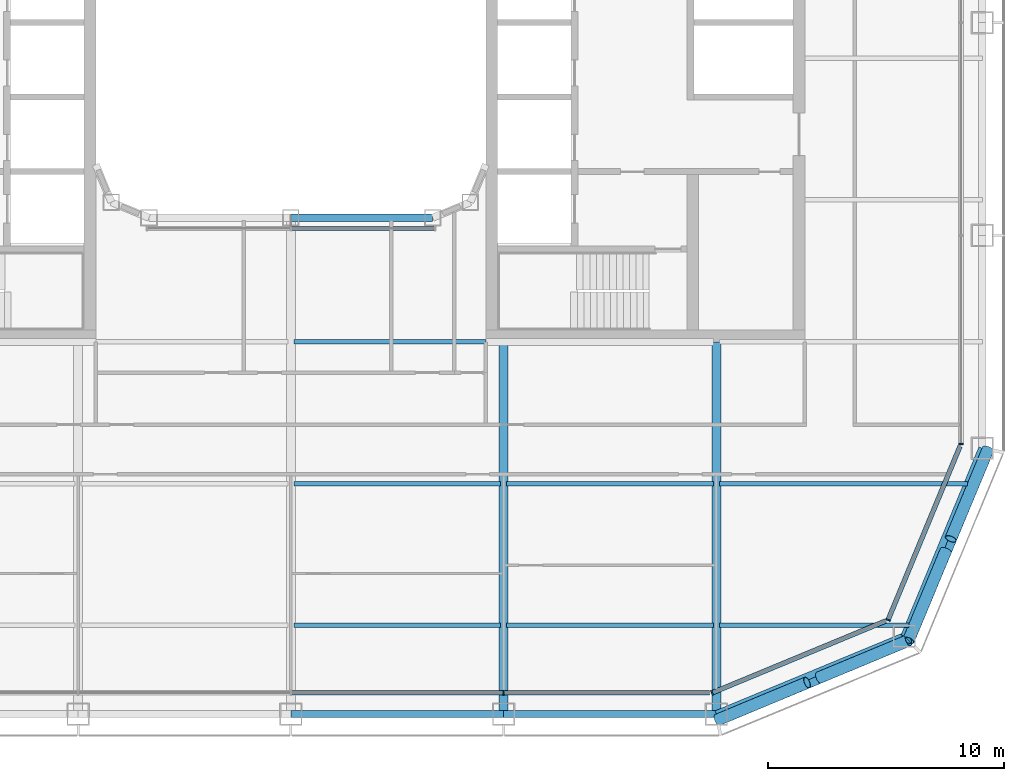
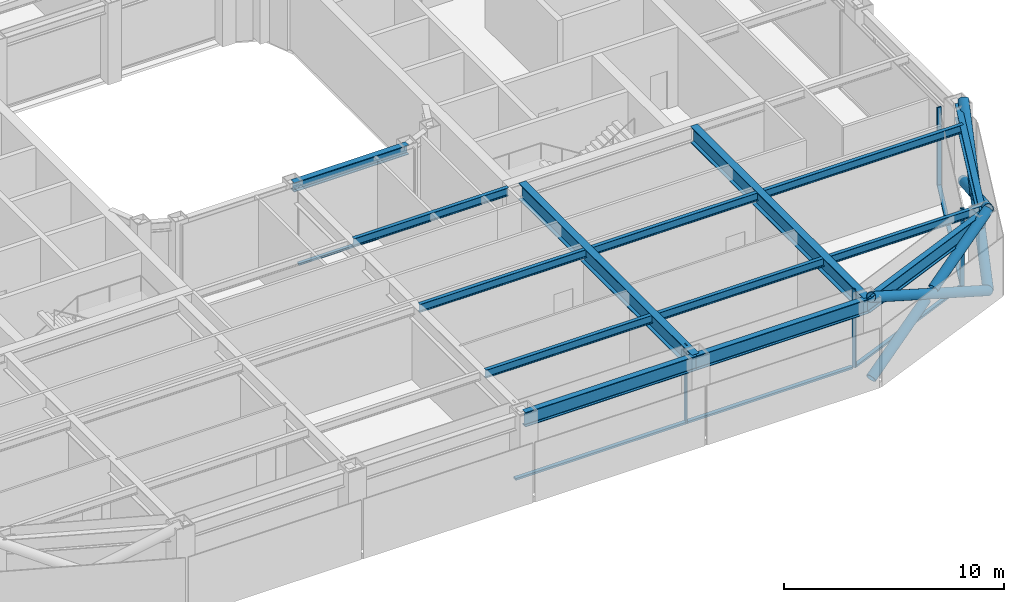
# One storey, part 4 of 21: 15 members, 14 beams, 5 elements without a shape of their own.
"""IFC4 building model written with IfcOpenShell, lengths in metres."""

from ifc_helpers import new_model, si_unit, direction, frame, origin, origin_2d, place, context, subcontext, project, spatial, rectangle, hollow_circle, i_section, extrude, material, layer, layer_set, material_profile, profile_set, type_object, element, aggregate, save


model = new_model("IFC4")

# Units and contexts
model_context = context("Model", 3, precision=1e-05, world=origin(), true_north=direction((0.0, 1.0)))
body_context = subcontext(model_context, "Body", "Model", "MODEL_VIEW")
ifc_project = project(units=[si_unit("LENGTHUNIT", "METRE"), si_unit("AREAUNIT", "SQUARE_METRE"), si_unit("VOLUMEUNIT", "CUBIC_METRE"), si_unit("PLANEANGLEUNIT", "RADIAN"), si_unit("MASSUNIT", "GRAM", prefix="KILO")], contexts=[model_context])

# Site, building, storey
site_placement = place(None, origin())
site = spatial("IfcSite", under=ifc_project, at=site_placement, CompositionType="ELEMENT")
building_placement = place(site_placement, origin())
building = spatial("IfcBuilding", under=site, at=building_placement, Name="Siwar Civic Tower", CompositionType="ELEMENT")
storey_placement = place(building_placement, frame((0.0, 0.0, 104.699951171875)))
storey = spatial("IfcBuildingStorey", under=building, at=storey_placement, Name="L22", CompositionType="ELEMENT", Elevation=104.699951171875)

# Curtain wall, member
ifc_material_1 = material(Name="Aluminium and glass", Category="aluminium")
ifc_layer_1 = layer(ifc_material_1, 0.199951171875)
ifc_layer_set_1 = layer_set([ifc_layer_1], Name="Aluminium and glass")
curtain_wall_type_1 = type_object("IfcCurtainWallType", Name="ENV-CW-B", PredefinedType="NOTDEFINED", material=ifc_layer_set_1)
curtain_wall_1_placement = place(storey_placement, origin())
curtain_wall_1 = element("IfcCurtainWall", 1, at=curtain_wall_1_placement, inside=storey, type_object=curtain_wall_type_1, Name="Curtain wall B S", PredefinedType="NOTDEFINED")
ifc_material_2 = material(Name="Aluminium 6063-T6", Category="aluminium")
ifc_material_profile_1 = material_profile(ifc_material_2, rectangle(XDim=0.199951171875, YDim=0.06494140625, at=origin_2d()), Name="AL 200x65")
ifc_profile_set_1 = profile_set([ifc_material_profile_1], Name="Aluminium 6063-T6")
member_type_1 = type_object("IfcMemberType", Name="ENV-MULLION-B", PredefinedType="MULLION", material=ifc_profile_set_1)
member_1_placement = place(storey_placement, frame((9.0, -28.35009765625, 0.0), z_axis=(0.0, 0.0, 1.0), x_axis=(0.0, 1.0, 0.0)))
member_1 = element("IfcMember", 2, at=member_1_placement, type_object=member_type_1, Name="Mullion B S 4", PredefinedType="MULLION", context=body_context, shape_type="SweptSolid", body=[
    extrude(rectangle(XDim=0.199951171875, YDim=0.06494140625, at=origin_2d()), origin(), (0.0, 0.0, 1.0), 4.35009765625),
])

ifc_material_3 = material(Name="Aluminium clad insulated panel", Category="aluminium")
ifc_layer_2 = layer(ifc_material_3, 0.199951171875)
ifc_layer_set_2 = layer_set([ifc_layer_2], Name="Aluminium clad insulated panel")
curtain_wall_type_2 = type_object("IfcCurtainWallType", Name="ENV-CW-BX", PredefinedType="NOTDEFINED", material=ifc_layer_set_2)
curtain_wall_2_placement = place(storey_placement, origin())
curtain_wall_2 = element("IfcCurtainWall", 3, at=curtain_wall_2_placement, inside=storey, type_object=curtain_wall_type_2, Name="Curtain wall B SE1", PredefinedType="NOTDEFINED")
member_2_placement = place(storey_placement, frame((17.821044921875, -28.35009765625, 0.0), z_axis=(0.0, 0.0, 1.0), x_axis=(-0.382683432365, 0.923879532511, 0.0)))
member_2 = element("IfcMember", 4, at=member_2_placement, type_object=member_type_1, Name="Mullion B SE1 1", PredefinedType="MULLION", context=body_context, shape_type="SweptSolid", body=[
    extrude(rectangle(XDim=0.199951171875, YDim=0.06494140625, at=origin_2d()), origin(), (0.0, 0.0, 1.0), 4.35009765625),
])

curtain_wall_3_placement = place(storey_placement, origin())
curtain_wall_3 = element("IfcCurtainWall", 5, at=curtain_wall_3_placement, inside=storey, type_object=curtain_wall_type_2, Name="Curtain wall B SE2", PredefinedType="NOTDEFINED")
member_3_placement = place(storey_placement, frame((25.26611328125, -25.26611328125, 0.0), z_axis=(0.0, 0.0, 1.0), x_axis=(-0.923879532511, 0.382683432365, 0.0)))
member_3 = element("IfcMember", 6, at=member_3_placement, type_object=member_type_1, Name="Mullion B SE2 1", PredefinedType="MULLION", context=body_context, shape_type="SweptSolid", body=[
    extrude(rectangle(XDim=0.199951171875, YDim=0.06494140625, at=origin_2d()), origin(), (0.0, 0.0, 1.0), 4.35009765625),
])

curtain_wall_4_placement = place(storey_placement, origin())
curtain_wall_4 = element("IfcCurtainWall", 7, at=curtain_wall_4_placement, inside=storey, type_object=curtain_wall_type_1, Name="Curtain wall B E", PredefinedType="NOTDEFINED")
member_4_placement = place(storey_placement, frame((28.35009765625, -17.821044921875, 0.0), z_axis=(0.0, 0.0, 1.0), x_axis=(-1.0, 0.0, 0.0)))
member_4 = element("IfcMember", 8, at=member_4_placement, type_object=member_type_1, Name="Mullion B E 1", PredefinedType="MULLION", context=body_context, shape_type="SweptSolid", body=[
    extrude(rectangle(XDim=0.199951171875, YDim=0.06494140625, at=origin_2d()), origin(), (0.0, 0.0, 1.0), 4.35009765625),
])
aggregate(curtain_wall_4, [member_4])

# Member
ifc_material_4 = material(Name="Aluminium 6063-T6", Category="aluminium")
ifc_material_profile_2 = material_profile(ifc_material_4, rectangle(XDim=0.199951171875, YDim=0.110107421875, at=origin_2d()), Name="AL 200x110")
ifc_profile_set_2 = profile_set([ifc_material_profile_2], Name="Aluminium 6063-T6")
member_type_2 = type_object("IfcMemberType", Name="ENV-TRANSOM-B", PredefinedType="USERDEFINED", material=ifc_profile_set_2)
member_5_placement = place(storey_placement, frame((0.032470703125, -28.35009765625, 0.054931640625), z_axis=(1.0, 0.0, 0.0), x_axis=(0.0, 1.0, 0.0)))
member_5 = element("IfcMember", 9, at=member_5_placement, type_object=member_type_2, Name="Transom B S 3", ObjectType="TRANSOM", PredefinedType="USERDEFINED", context=body_context, shape_type="SweptSolid", body=[
    extrude(rectangle(XDim=0.199951171875, YDim=0.110107421875, at=origin_2d()), origin(), (0.0, 0.0, 1.0), 8.93505859375),
])

member_6_placement = place(storey_placement, frame((9.032470703125, -28.35009765625, 0.054931640625), z_axis=(1.0, 0.0, 0.0), x_axis=(0.0, 1.0, 0.0)))
member_6 = element("IfcMember", 10, at=member_6_placement, type_object=member_type_2, Name="Transom B S 4", ObjectType="TRANSOM", PredefinedType="USERDEFINED", context=body_context, shape_type="SweptSolid", body=[
    extrude(rectangle(XDim=0.199951171875, YDim=0.110107421875, at=origin_2d()), origin(), (0.0, 0.0, 1.0), 8.6748046875),
])

aggregate(curtain_wall_1, [member_1, member_5, member_6])

member_7_placement = place(storey_placement, frame((17.85107421875, -28.337646484375, 0.054931640625), z_axis=(0.92387279587, 0.382699695651, 0.0), x_axis=(-0.382699695651, 0.92387279587, 0.0)))
member_7 = element("IfcMember", 11, at=member_7_placement, type_object=member_type_2, Name="Transom B SE1 1", ObjectType="TRANSOM", PredefinedType="USERDEFINED", context=body_context, shape_type="SweptSolid", body=[
    extrude(rectangle(XDim=0.199951171875, YDim=0.110107421875, at=origin_2d()), origin(), (0.0, 0.0, 1.0), 7.912353515625),
])

aggregate(curtain_wall_2, [member_2, member_7])

member_8_placement = place(storey_placement, frame((25.278564453125, -25.236083984375, 0.054931640625), z_axis=(0.382673358825, 0.923883705044, 0.0), x_axis=(-0.923883705044, 0.382673358825, 0.0)))
member_8 = element("IfcMember", 12, at=member_8_placement, type_object=member_type_2, Name="Transom B SE2 1", ObjectType="TRANSOM", PredefinedType="USERDEFINED", context=body_context, shape_type="SweptSolid", body=[
    extrude(rectangle(XDim=0.199951171875, YDim=0.110107421875, at=origin_2d()), origin(), (0.0, 0.0, 1.0), 7.912353515625),
])

aggregate(curtain_wall_3, [member_3, member_8])

# Curtain wall, member
ifc_material_5 = material(Name="Aluminium and glass", Category="aluminium")
ifc_layer_3 = layer(ifc_material_5, 0.179931640625)
ifc_layer_set_3 = layer_set([ifc_layer_3], Name="Aluminium and glass")
curtain_wall_type_3 = type_object("IfcCurtainWallType", Name="ENV-CW-W", PredefinedType="NOTDEFINED", material=ifc_layer_set_3)
curtain_wall_5_placement = place(storey_placement, origin())
curtain_wall_5 = element("IfcCurtainWall", 13, at=curtain_wall_5_placement, inside=storey, type_object=curtain_wall_type_3, Name="Curtain wall W WS", PredefinedType="NOTDEFINED")
ifc_material_6 = material(Name="Aluminium 6063-T6", Category="aluminium")
ifc_material_profile_3 = material_profile(ifc_material_6, rectangle(XDim=0.179931640625, YDim=0.10009765625, at=origin_2d()), Name="AL 180x100")
ifc_profile_set_3 = profile_set([ifc_material_profile_3], Name="Aluminium 6063-T6")
member_type_3 = type_object("IfcMemberType", Name="ENV-TRANSOM-W", PredefinedType="USERDEFINED", material=ifc_profile_set_3)
member_9_placement = place(storey_placement, frame((0.030029296875, -8.7099609375, 0.050048828125), z_axis=(1.0, 0.0, 0.0), x_axis=(0.0, 1.0, 0.0)))
member_9 = element("IfcMember", 14, at=member_9_placement, type_object=member_type_3, Name="Transom W WS 2", ObjectType="TRANSOM", PredefinedType="USERDEFINED", context=body_context, shape_type="SweptSolid", body=[
    extrude(rectangle(XDim=0.179931640625, YDim=0.10009765625, at=origin_2d()), origin(), (0.0, 0.0, 1.0), 6.031494140625),
])
aggregate(curtain_wall_5, [member_9])

# Members
ifc_material_7 = material(Name="Steel S355", Category="steel")
ifc_material_profile_4 = material_profile(ifc_material_7, hollow_circle(Radius=0.25390625, WallThickness=0.02490234375, at=origin_2d()), Name="CHS508x25")
ifc_profile_set_4 = profile_set([ifc_material_profile_4], Name="Steel S355")
member_type_4 = type_object("IfcMemberType", Name="STR-BR-CHS508x25", PredefinedType="BRACE", material=ifc_profile_set_4)
member_10_placement = place(storey_placement, frame((26.1318359375, -26.1318359375, 0.0), z_axis=(0.341671493852, 0.821142553604, 0.457149315816), x_axis=(-0.923264922524, 0.384163874976, 0.0)))
element("IfcMember", 15, at=member_10_placement, inside=storey, type_object=member_type_4, Name="L22/brc/BSE1-1-0-1", PredefinedType="BRACE", context=body_context, shape_type="SweptSolid", body=[
    extrude(hollow_circle(Radius=0.25390625, WallThickness=0.02490234375, at=origin_2d()), origin(), (0.0, 0.0, 1.0), 9.843505859375),
])
for number, where, z_axis, x_axis, name in (
    (16, (29.4951171875, -18.048828125, 0.0), (-0.341677318012, -0.821126041429, 0.457174621391), (0.923259859753, -0.384176042158, 0.0), "L22/brc/BSE1-1-0-2"),
    (17, (27.70849609375, -22.342529296875, 2.390625), (-0.341670737976, -0.821163134736, 0.457112910516), (0.923268638995, -0.384154943021, 0.0), "L22/brc/BSE1-1-0-3"),
):
    element("IfcMember", number, at=place(storey_placement, frame(where, z_axis=z_axis, x_axis=x_axis)), inside=storey, type_object=member_type_4, Name=name, PredefinedType="BRACE", context=body_context, shape_type="SweptSolid", body=[
        extrude(hollow_circle(Radius=0.25390625, WallThickness=0.02490234375, at=origin_2d()), origin(), (0.0, 0.0, 1.0), 4.614501953125),
    ])
member_11_placement = place(storey_placement, frame((26.1318359375, -26.1318359375, 0.0), z_axis=(-0.821142553604, -0.341671493852, 0.457149315816), x_axis=(0.384163874976, -0.923264922524, 0.0)))
element("IfcMember", 18, at=member_11_placement, inside=storey, type_object=member_type_4, Name="L22/brc/BSE1-1-0-0", PredefinedType="BRACE", context=body_context, shape_type="SweptSolid", body=[
    extrude(hollow_circle(Radius=0.25390625, WallThickness=0.02490234375, at=origin_2d()), origin(), (0.0, 0.0, 1.0), 9.843505859375),
])
for number, where, z_axis, x_axis, name in (
    (19, (18.048828125, -29.4951171875, 0.0), (0.821126041429, 0.341677318012, 0.457174621391), (-0.384176042158, 0.923259859753, 0.0), "L22/brc/BSE1-1-0-4"),
    (20, (22.342529296875, -27.70849609375, 2.390625), (0.821163134736, 0.341670737976, 0.457112910516), (-0.384154943021, 0.923268638995, 0.0), "L22/brc/BSE1-1-0-5"),
):
    element("IfcMember", number, at=place(storey_placement, frame(where, z_axis=z_axis, x_axis=x_axis)), inside=storey, type_object=member_type_4, Name=name, PredefinedType="BRACE", context=body_context, shape_type="SweptSolid", body=[
        extrude(hollow_circle(Radius=0.25390625, WallThickness=0.02490234375, at=origin_2d()), origin(), (0.0, 0.0, 1.0), 4.614501953125),
    ])

# Beams
ifc_material_8 = material(Name="Steel S355", Category="steel")
ifc_material_profile_5 = material_profile(ifc_material_8, i_section(OverallWidth=0.18994140625, OverallDepth=0.449951171875, WebThickness=0.009521484375, FlangeThickness=0.0146484375, FilletRadius=0.02099609375, at=origin_2d()), Name="IPE450")
ifc_profile_set_5 = profile_set([ifc_material_profile_5], Name="Steel S355")
beam_type_1 = type_object("IfcBeamType", Name="STR-FB-IPE450", PredefinedType="JOIST", material=ifc_profile_set_5)
for number, where, z_axis, x_axis, name in (
    (21, (0.1298828125, -25.5, 4.125), (1.0, 0.0, 0.0), (0.0, 1.0, 0.0), "L22/bm/F004"),
    (22, (9.1298828125, -25.5, 4.125), (1.0, 0.0, 0.0), (0.0, 1.0, 0.0), "L22/bm/F005"),
):
    element("IfcBeam", number, at=place(storey_placement, frame(where, z_axis=z_axis, x_axis=x_axis)), inside=storey, type_object=beam_type_1, Name=name, PredefinedType="JOIST", context=body_context, shape_type="SweptSolid", body=[
        extrude(i_section(OverallWidth=0.18994140625, OverallDepth=0.449951171875, WebThickness=0.009521484375, FlangeThickness=0.0146484375, FilletRadius=0.02099609375, at=origin_2d()), origin(), (0.0, 0.0, 1.0), 8.740234375),
    ])
beam_1_placement = place(storey_placement, frame((18.1298828125, -25.5, 4.125), z_axis=(1.0, 0.0, 0.0), x_axis=(0.0, 1.0, 0.0)))
element("IfcBeam", 23, at=beam_1_placement, inside=storey, type_object=beam_type_1, Name="L22/bm/F006", PredefinedType="JOIST", context=body_context, shape_type="SweptSolid", body=[
    extrude(i_section(OverallWidth=0.18994140625, OverallDepth=0.449951171875, WebThickness=0.009521484375, FlangeThickness=0.0146484375, FilletRadius=0.02099609375, at=origin_2d()), origin(), (0.0, 0.0, 1.0), 8.013427734375),
])
for number, where, z_axis, x_axis, name in (
    (24, (0.1298828125, -19.5, 4.125), (1.0, 0.0, 0.0), (0.0, 1.0, 0.0), "L22/bm/F010"),
    (25, (9.1298828125, -19.5, 4.125), (1.0, 0.0, 0.0), (0.0, 1.0, 0.0), "L22/bm/F011"),
):
    element("IfcBeam", number, at=place(storey_placement, frame(where, z_axis=z_axis, x_axis=x_axis)), inside=storey, type_object=beam_type_1, Name=name, PredefinedType="JOIST", context=body_context, shape_type="SweptSolid", body=[
        extrude(i_section(OverallWidth=0.18994140625, OverallDepth=0.449951171875, WebThickness=0.009521484375, FlangeThickness=0.0146484375, FilletRadius=0.02099609375, at=origin_2d()), origin(), (0.0, 0.0, 1.0), 8.740234375),
    ])
beam_2_placement = place(storey_placement, frame((18.1298828125, -19.5, 4.125), z_axis=(1.0, 0.0, 0.0), x_axis=(0.0, 1.0, 0.0)))
element("IfcBeam", 26, at=beam_2_placement, inside=storey, type_object=beam_type_1, Name="L22/bm/F012", PredefinedType="JOIST", context=body_context, shape_type="SweptSolid", body=[
    extrude(i_section(OverallWidth=0.18994140625, OverallDepth=0.449951171875, WebThickness=0.009521484375, FlangeThickness=0.0146484375, FilletRadius=0.02099609375, at=origin_2d()), origin(), (0.0, 0.0, 1.0), 10.498779296875),
])
beam_3_placement = place(storey_placement, frame((0.1298828125, -13.5, 4.125), z_axis=(1.0, 0.0, 0.0), x_axis=(0.0, 1.0, 0.0)))
element("IfcBeam", 27, at=beam_3_placement, inside=storey, type_object=beam_type_1, Name="L22/bm/F017", PredefinedType="JOIST", context=body_context, shape_type="SweptSolid", body=[
    extrude(i_section(OverallWidth=0.18994140625, OverallDepth=0.449951171875, WebThickness=0.009521484375, FlangeThickness=0.0146484375, FilletRadius=0.02099609375, at=origin_2d()), origin(), (0.0, 0.0, 1.0), 8.1201171875),
])
ifc_material_9 = material(Name="Steel S355", Category="steel")
ifc_material_profile_6 = material_profile(ifc_material_9, i_section(OverallWidth=0.3798828125, OverallDepth=0.89990234375, WebThickness=0.01611328125, FlangeThickness=0.035888671875, at=origin_2d()), Name="PG900x380x16x36")
ifc_profile_set_6 = profile_set([ifc_material_profile_6], Name="Steel S355")
beam_type_2 = type_object("IfcBeamType", Name="STR-PG-PG900x380x16x36", PredefinedType="BEAM", material=ifc_profile_set_6)
for number, where, z_axis, x_axis, name in (
    (28, (9.0, -29.25, 3.900146484375), (0.0, 1.0, 0.0), (-1.0, 0.0, 0.0), "L22/bm/G07"),
    (29, (18.0, -29.25, 3.900146484375), (0.0, 1.0, 0.0), (-1.0, 0.0, 0.0), "L22/bm/G09"),
):
    element("IfcBeam", number, at=place(storey_placement, frame(where, z_axis=z_axis, x_axis=x_axis)), inside=storey, type_object=beam_type_2, Name=name, PredefinedType="BEAM", context=body_context, shape_type="SweptSolid", body=[
        extrude(i_section(OverallWidth=0.3798828125, OverallDepth=0.89990234375, WebThickness=0.01611328125, FlangeThickness=0.035888671875, at=origin_2d()), origin(), (0.0, 0.0, 1.0), 15.75),
    ])
ifc_material_10 = material(Name="Steel S355", Category="steel")
ifc_material_profile_7 = material_profile(ifc_material_10, i_section(OverallWidth=0.305908203125, OverallDepth=0.52392578125, WebThickness=0.02099609375, FlangeThickness=0.0400390625, FilletRadius=0.027099609375, at=origin_2d()), Name="HEM500")
ifc_profile_set_7 = profile_set([ifc_material_profile_7], Name="Steel S355")
beam_type_3 = type_object("IfcBeamType", Name="STR-RB-HEM500", PredefinedType="BEAM", material=ifc_profile_set_7)
beam_4_placement = place(storey_placement, frame((0.0, -8.25, 4.088134765625), z_axis=(1.0, 0.0, 0.0), x_axis=(0.0, 1.0, 0.0)))
element("IfcBeam", 30, at=beam_4_placement, inside=storey, type_object=beam_type_3, Name="L22/bm/RS2", PredefinedType="BEAM", context=body_context, shape_type="SweptSolid", body=[
    extrude(i_section(OverallWidth=0.305908203125, OverallDepth=0.52392578125, WebThickness=0.02099609375, FlangeThickness=0.0400390625, FilletRadius=0.027099609375, at=origin_2d()), origin(), (0.0, 0.0, 1.0), 6.0),
])
ifc_material_11 = material(Name="Steel S355", Category="steel")
ifc_material_profile_8 = material_profile(ifc_material_11, i_section(OverallWidth=0.300048828125, OverallDepth=0.800048828125, WebThickness=0.017578125, FlangeThickness=0.032958984375, FilletRadius=0.030029296875, at=origin_2d()), Name="HEB800")
ifc_profile_set_8 = profile_set([ifc_material_profile_8], Name="Steel S355")
beam_type_4 = type_object("IfcBeamType", Name="STR-SB-HEB800", PredefinedType="BEAM", material=ifc_profile_set_8)
for number, where, z_axis, x_axis, name in (
    (31, (0.0, -29.25, 3.949951171875), (1.0, 0.0, 0.0), (0.0, 1.0, 0.0), "L22/bm/SS-2"),
    (32, (9.0, -29.25, 3.949951171875), (1.0, 0.0, 0.0), (0.0, 1.0, 0.0), "L22/bm/SS-3"),
):
    element("IfcBeam", number, at=place(storey_placement, frame(where, z_axis=z_axis, x_axis=x_axis)), inside=storey, type_object=beam_type_4, Name=name, PredefinedType="BEAM", context=body_context, shape_type="SweptSolid", body=[
        extrude(i_section(OverallWidth=0.300048828125, OverallDepth=0.800048828125, WebThickness=0.017578125, FlangeThickness=0.032958984375, FilletRadius=0.030029296875, at=origin_2d()), origin(), (0.0, 0.0, 1.0), 9.0),
    ])
for number, where, z_axis, x_axis, name in (
    (33, (18.0, -29.25, 3.949951171875), (0.923872720536, 0.382699877515, 0.0), (-0.382699877515, 0.923872720536, 0.0), "L22/bm/SSE1-0"),
    (34, (25.954833984375, -25.954833984375, 3.949951171875), (0.382699877515, 0.923872720536, 0.0), (-0.923872720536, 0.382699877515, 0.0), "L22/bm/SSE2-0"),
):
    element("IfcBeam", number, at=place(storey_placement, frame(where, z_axis=z_axis, x_axis=x_axis)), inside=storey, type_object=beam_type_4, Name=name, PredefinedType="BEAM", context=body_context, shape_type="SweptSolid", body=[
        extrude(i_section(OverallWidth=0.300048828125, OverallDepth=0.800048828125, WebThickness=0.017578125, FlangeThickness=0.032958984375, FilletRadius=0.030029296875, at=origin_2d()), origin(), (0.0, 0.0, 1.0), 8.6103515625),
    ])

save(model, "model.ifc")
